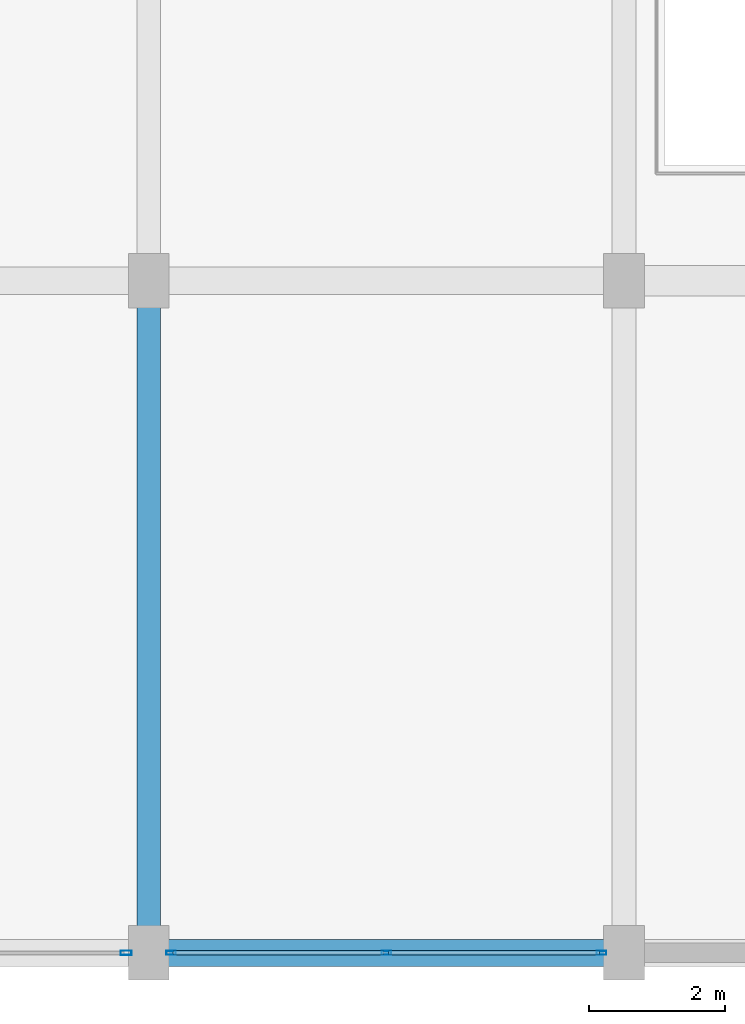
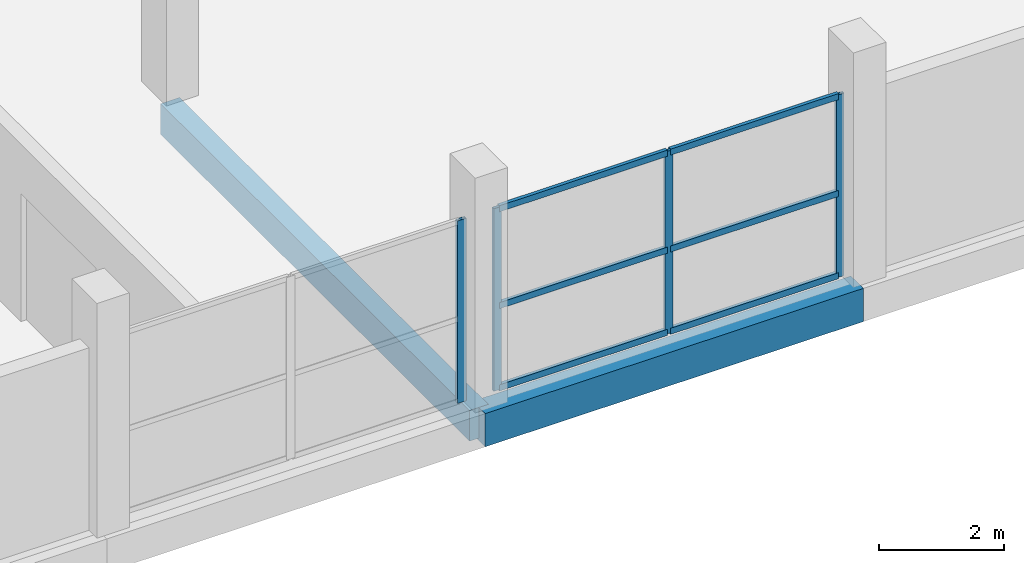
# One storey, part 4 of 49: 10 members, 2 beams, 2 elements without a shape of their own.
"""IFC4 building model written with IfcOpenShell, lengths in metres."""

from ifc_helpers import new_model, si_unit, direction, frame, origin, origin_2d, place, context, subcontext, project, spatial, rectangle, hollow_rectangle, extrude, material, layer, layer_set, material_profile, profile_set, type_object, element, aggregate, save


model = new_model("IFC4")

# Units and contexts
model_context = context("Model", 3, precision=1e-05, world=origin(), true_north=direction((0.0, 1.0)))
body_context = subcontext(model_context, "Body", "Model", "MODEL_VIEW")
ifc_project = project(units=[si_unit("LENGTHUNIT", "METRE"), si_unit("AREAUNIT", "SQUARE_METRE"), si_unit("VOLUMEUNIT", "CUBIC_METRE"), si_unit("PLANEANGLEUNIT", "RADIAN"), si_unit("MASSUNIT", "GRAM", prefix="KILO")], contexts=[model_context])

# Site, building, storey
site_placement = place(None, origin())
site = spatial("IfcSite", under=ifc_project, at=site_placement, CompositionType="ELEMENT")
building_placement = place(site_placement, origin())
building = spatial("IfcBuilding", under=site, at=building_placement, Name="Sillaruma Civic Art Gallery", CompositionType="ELEMENT")
storey_placement = place(building_placement, frame((0.0, 0.0, 33.14990234375)))
storey = spatial("IfcBuildingStorey", under=building, at=storey_placement, Name="L06", CompositionType="ELEMENT", Elevation=33.14990234375)

# Beams
ifc_material_1 = material(Name="Concrete H35 (35 MPa)", Category="concrete")
ifc_material_profile_1 = material_profile(ifc_material_1, rectangle(XDim=0.35009765625, YDim=0.60009765625, at=origin_2d()), Name="RCB350x600")
ifc_profile_set_1 = profile_set([ifc_material_profile_1], Name="Concrete H35 (35 MPa)")
beam_type_1 = type_object("IfcBeamType", Name="BM-BEAM-RCB350x600", PredefinedType="BEAM", material=ifc_profile_set_1)
beam_1_placement = place(storey_placement, frame((77.0, 19.800048828125, -0.539794921875), z_axis=(0.0, 1.0, 0.0), x_axis=(-1.0, 0.0, 0.0)))
element("IfcBeam", 1, at=beam_1_placement, inside=storey, type_object=beam_type_1, Name="Beam BM-06 (L05:H:3-4)", PredefinedType="BEAM", context=body_context, shape_type="SweptSolid", body=[
    extrude(rectangle(XDim=0.35009765625, YDim=0.60009765625, at=origin_2d()), origin(), (0.0, 0.0, 1.0), 9.89990234375),
])
ifc_material_profile_2 = material_profile(ifc_material_1, rectangle(XDim=0.39990234375, YDim=0.64990234375, at=origin_2d()), Name="RCB400x650")
ifc_profile_set_2 = profile_set([ifc_material_profile_2], Name="Concrete H35 (35 MPa)")
beam_type_2 = type_object("IfcBeamType", Name="BM-SPANDREL-RCB400x650", PredefinedType="SPANDREL", material=ifc_profile_set_2)
beam_2_placement = place(storey_placement, frame((77.0, 19.800048828125, -0.56494140625), z_axis=(1.0, 0.0, 0.0), x_axis=(0.0, 1.0, 0.0)))
element("IfcBeam", 2, at=beam_2_placement, inside=storey, type_object=beam_type_2, Name="Beam BS-02 (L05:3:H-J)", PredefinedType="SPANDREL", context=body_context, shape_type="SweptSolid", body=[
    extrude(rectangle(XDim=0.39990234375, YDim=0.64990234375, at=origin_2d()), origin(), (0.0, 0.0, 1.0), 7.0),
])

# Curtain wall, members
ifc_material_2 = material(Name="Thermally Broken Extruded Aluminium 6063-T6", Category="aluminium")
ifc_layer_1 = layer(ifc_material_2, 0.139892578125, Name="Thermally Broken Extruded Aluminium 6063-T6")
ifc_layer_set_1 = layer_set([ifc_layer_1], Name="Thermally Broken Extruded Aluminium 6063-T6")
curtain_wall_type_1 = type_object("IfcCurtainWallType", Name="CW-UNI-42", PredefinedType="NOTDEFINED", material=ifc_layer_set_1)
curtain_wall_1_placement = place(storey_placement, origin())
curtain_wall_1 = element("IfcCurtainWall", 3, at=curtain_wall_1_placement, inside=storey, type_object=curtain_wall_type_1, Name="Unitised Curtain Wall CW-42 (CW-L06-S-3)", PredefinedType="NOTDEFINED")
ifc_material_profile_3 = material_profile(ifc_material_2, hollow_rectangle(XDim=0.06005859375, YDim=0.139892578125, WallThickness=0.00341796875, at=origin_2d()), Name="CWM60x140")
ifc_profile_set_3 = profile_set([ifc_material_profile_3], Name="Thermally Broken Extruded Aluminium 6063-T6")
member_type_1 = type_object("IfcMemberType", Name="MEM-MUL-CWM60x140", PredefinedType="MULLION", material=ifc_profile_set_3)
member_1_placement = place(storey_placement, frame((77.330078125, 19.800048828125, 0.0), z_axis=(0.0, 0.0, 1.0), x_axis=(0.0, 1.0, 0.0)))
member_1 = element("IfcMember", 4, at=member_1_placement, type_object=member_type_1, Name="CW-42 mullion 1", PredefinedType="MULLION", context=body_context, shape_type="SweptSolid", body=[
    extrude(hollow_rectangle(XDim=0.06005859375, YDim=0.139892578125, WallThickness=0.00341796875, at=origin_2d()), origin(), (0.0, 0.0, 1.0), 3.570068359375),
])
member_2_placement = place(storey_placement, frame((80.5, 19.800048828125, 0.0), z_axis=(0.0, 0.0, 1.0), x_axis=(0.0, 1.0, 0.0)))
member_2 = element("IfcMember", 5, at=member_2_placement, type_object=member_type_1, Name="CW-42 mullion 2", PredefinedType="MULLION", context=body_context, shape_type="SweptSolid", body=[
    extrude(hollow_rectangle(XDim=0.06005859375, YDim=0.139892578125, WallThickness=0.00341796875, at=origin_2d()), origin(), (0.0, 0.0, 1.0), 3.570068359375),
])
member_3_placement = place(storey_placement, frame((83.669921875, 19.800048828125, 0.0), z_axis=(0.0, 0.0, 1.0), x_axis=(0.0, 1.0, 0.0)))
member_3 = element("IfcMember", 6, at=member_3_placement, type_object=member_type_1, Name="CW-42 mullion 3", PredefinedType="MULLION", context=body_context, shape_type="SweptSolid", body=[
    extrude(hollow_rectangle(XDim=0.06005859375, YDim=0.139892578125, WallThickness=0.00341796875, at=origin_2d()), origin(), (0.0, 0.0, 1.0), 3.570068359375),
])

# Curtain wall, member
ifc_layer_2 = layer(ifc_material_2, 0.159912109375, Name="Thermally Broken Extruded Aluminium 6063-T6")
ifc_layer_set_2 = layer_set([ifc_layer_2], Name="Thermally Broken Extruded Aluminium 6063-T6")
curtain_wall_type_2 = type_object("IfcCurtainWallType", Name="CW-UNI-37", PredefinedType="NOTDEFINED", material=ifc_layer_set_2)
curtain_wall_2_placement = place(storey_placement, origin())
curtain_wall_2 = element("IfcCurtainWall", 7, at=curtain_wall_2_placement, inside=storey, type_object=curtain_wall_type_2, Name="Unitised Curtain Wall CW-37 (CW-L06-S-2)", PredefinedType="NOTDEFINED")
ifc_material_profile_4 = material_profile(ifc_material_2, hollow_rectangle(XDim=0.06494140625, YDim=0.159912109375, WallThickness=0.00390625, at=origin_2d()), Name="CWM65x160")
ifc_profile_set_4 = profile_set([ifc_material_profile_4], Name="Thermally Broken Extruded Aluminium 6063-T6")
member_type_2 = type_object("IfcMemberType", Name="MEM-MUL-CWM65x160", PredefinedType="MULLION", material=ifc_profile_set_4)
member_4_placement = place(storey_placement, frame((76.66748046875, 19.800048828125, 0.0), z_axis=(0.0, 0.0, 1.0), x_axis=(0.0, 1.0, 0.0)))
member_4 = element("IfcMember", 8, at=member_4_placement, type_object=member_type_2, Name="CW-37 mullion 3", PredefinedType="MULLION", context=body_context, shape_type="SweptSolid", body=[
    extrude(hollow_rectangle(XDim=0.06494140625, YDim=0.159912109375, WallThickness=0.00390625, at=origin_2d()), origin(), (0.0, 0.0, 1.0), 3.570068359375),
])
aggregate(curtain_wall_2, [member_4])

# Member
ifc_material_profile_5 = material_profile(ifc_material_2, hollow_rectangle(XDim=0.06494140625, YDim=0.1201171875, WallThickness=0.00341796875, at=origin_2d()), Name="CWT65x120")
ifc_profile_set_5 = profile_set([ifc_material_profile_5], Name="Thermally Broken Extruded Aluminium 6063-T6")
member_type_3 = type_object("IfcMemberType", Name="MEM-TRN-CWT65x120", PredefinedType="USERDEFINED", material=ifc_profile_set_5)
member_5_placement = place(storey_placement, frame((77.360107421875, 19.800048828125, 0.03271484375), z_axis=(1.0, 0.0, 0.0), x_axis=(0.0, 1.0, 0.0)))
member_5 = element("IfcMember", 9, at=member_5_placement, type_object=member_type_3, Name="CW-42 transom 1.1", ObjectType="TRANSOM", PredefinedType="USERDEFINED", context=body_context, shape_type="SweptSolid", body=[
    extrude(hollow_rectangle(XDim=0.06494140625, YDim=0.1201171875, WallThickness=0.00341796875, at=origin_2d()), origin(), (0.0, 0.0, 1.0), 3.10986328125),
])

member_6_placement = place(storey_placement, frame((77.360107421875, 19.800048828125, 1.642333984375), z_axis=(1.0, 0.0, 0.0), x_axis=(0.0, 1.0, 0.0)))
member_6 = element("IfcMember", 10, at=member_6_placement, type_object=member_type_3, Name="CW-42 transom 1.2", ObjectType="TRANSOM", PredefinedType="USERDEFINED", context=body_context, shape_type="SweptSolid", body=[
    extrude(hollow_rectangle(XDim=0.06494140625, YDim=0.1201171875, WallThickness=0.00341796875, at=origin_2d()), origin(), (0.0, 0.0, 1.0), 3.10986328125),
])

member_7_placement = place(storey_placement, frame((77.360107421875, 19.800048828125, 3.53759765625), z_axis=(1.0, 0.0, 0.0), x_axis=(0.0, 1.0, 0.0)))
member_7 = element("IfcMember", 11, at=member_7_placement, type_object=member_type_3, Name="CW-42 transom 1.3", ObjectType="TRANSOM", PredefinedType="USERDEFINED", context=body_context, shape_type="SweptSolid", body=[
    extrude(hollow_rectangle(XDim=0.06494140625, YDim=0.1201171875, WallThickness=0.00341796875, at=origin_2d()), origin(), (0.0, 0.0, 1.0), 3.10986328125),
])

member_8_placement = place(storey_placement, frame((80.530029296875, 19.800048828125, 0.03271484375), z_axis=(1.0, 0.0, 0.0), x_axis=(0.0, 1.0, 0.0)))
member_8 = element("IfcMember", 12, at=member_8_placement, type_object=member_type_3, Name="CW-42 transom 2.1", ObjectType="TRANSOM", PredefinedType="USERDEFINED", context=body_context, shape_type="SweptSolid", body=[
    extrude(hollow_rectangle(XDim=0.06494140625, YDim=0.1201171875, WallThickness=0.00341796875, at=origin_2d()), origin(), (0.0, 0.0, 1.0), 3.10986328125),
])

member_9_placement = place(storey_placement, frame((80.530029296875, 19.800048828125, 1.642333984375), z_axis=(1.0, 0.0, 0.0), x_axis=(0.0, 1.0, 0.0)))
member_9 = element("IfcMember", 13, at=member_9_placement, type_object=member_type_3, Name="CW-42 transom 2.2", ObjectType="TRANSOM", PredefinedType="USERDEFINED", context=body_context, shape_type="SweptSolid", body=[
    extrude(hollow_rectangle(XDim=0.06494140625, YDim=0.1201171875, WallThickness=0.00341796875, at=origin_2d()), origin(), (0.0, 0.0, 1.0), 3.10986328125),
])

member_10_placement = place(storey_placement, frame((80.530029296875, 19.800048828125, 3.53759765625), z_axis=(1.0, 0.0, 0.0), x_axis=(0.0, 1.0, 0.0)))
member_10 = element("IfcMember", 14, at=member_10_placement, type_object=member_type_3, Name="CW-42 transom 2.3", ObjectType="TRANSOM", PredefinedType="USERDEFINED", context=body_context, shape_type="SweptSolid", body=[
    extrude(hollow_rectangle(XDim=0.06494140625, YDim=0.1201171875, WallThickness=0.00341796875, at=origin_2d()), origin(), (0.0, 0.0, 1.0), 3.10986328125),
])

aggregate(curtain_wall_1, [member_1, member_2, member_3, member_5, member_6, member_7, member_8, member_9, member_10])

save(model, "model.ifc")
